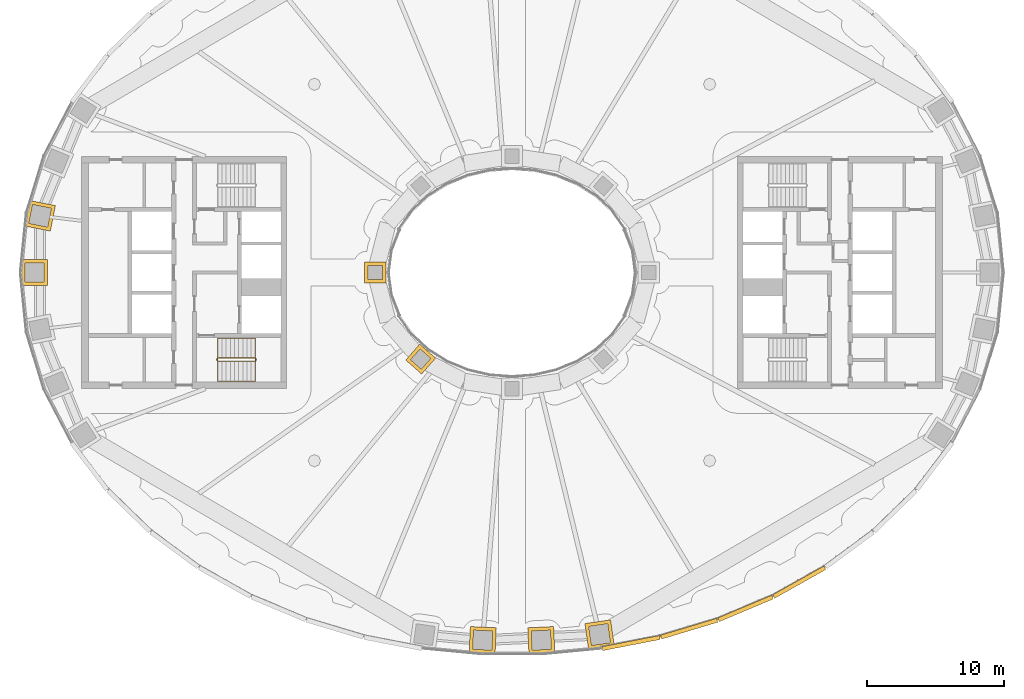
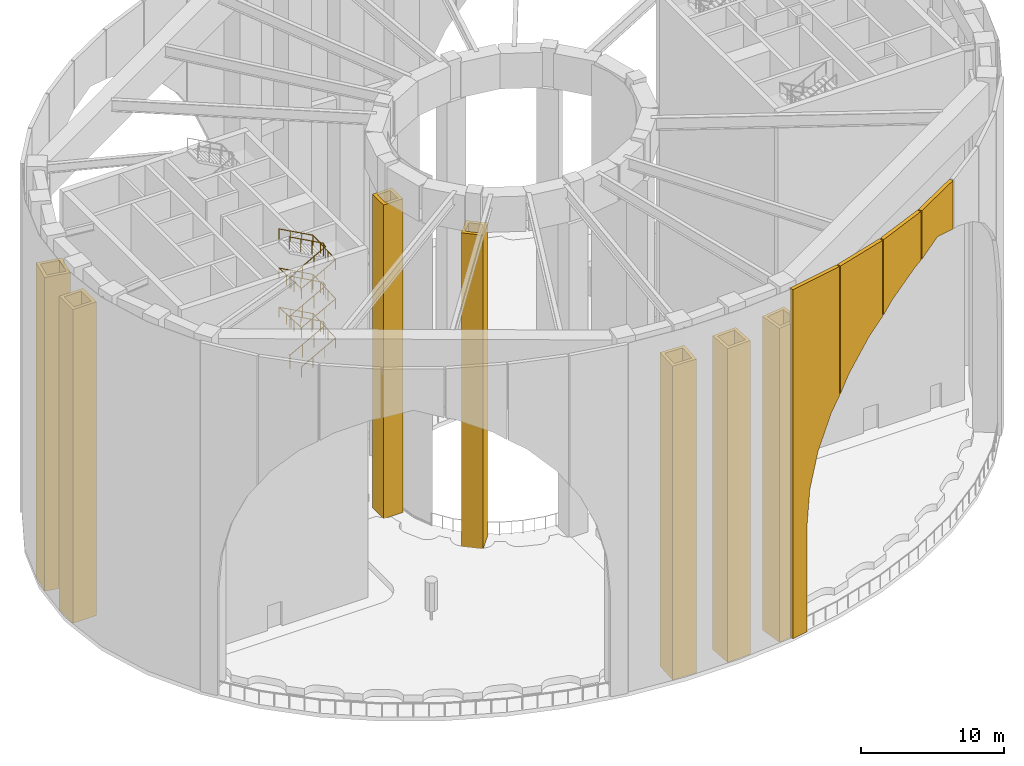
# One storey, part 16 of 26: 11 coverings, 2 railings.
"""IFC4 building model written with IfcOpenShell, lengths in metres."""

from ifc_helpers import new_model, si_unit, direction, frame, origin, origin_2d, place, context, subcontext, project, spatial, polyline, rectangle, outline, extrude, material, layer, layer_set, type_object, element, save


model = new_model("IFC4")

# Units and contexts
model_context = context("Model", 3, precision=1e-05, world=origin(), true_north=direction((0.0, 1.0)))
body_context = subcontext(model_context, "Body", "Model", "MODEL_VIEW")
ifc_project = project(units=[si_unit("LENGTHUNIT", "METRE"), si_unit("AREAUNIT", "SQUARE_METRE"), si_unit("VOLUMEUNIT", "CUBIC_METRE"), si_unit("PLANEANGLEUNIT", "RADIAN"), si_unit("MASSUNIT", "GRAM", prefix="KILO")], contexts=[model_context])

# Site, building, storey
site_placement = place(None, origin())
site = spatial("IfcSite", under=ifc_project, at=site_placement, CompositionType="ELEMENT")
building_placement = place(site_placement, origin())
building = spatial("IfcBuilding", under=site, at=building_placement, Name="Noorbagh Ring Tower", CompositionType="ELEMENT")
storey_placement = place(building_placement, frame((0.0, 0.0, 203.5)))
storey = spatial("IfcBuildingStorey", under=building, at=storey_placement, Name="L47", CompositionType="ELEMENT", Elevation=203.5)

# Railings
ifc_material_1 = material(Name="Stainless steel", Category="steel")
railing_type_1 = type_object("IfcRailingType", Name="CORE-STAIR-GUARD", PredefinedType="GUARDRAIL", material=ifc_material_1)
railing_1_placement = place(storey_placement, frame((-21.580078125, -6.449951171875, 20.0)))
element("IfcRailing", 1, at=railing_1_placement, inside=storey, type_object=railing_type_1, Name="L47c ST2 stair guard", PredefinedType="GUARDRAIL", context=body_context, shape_type="SweptSolid", body=[
    extrude(rectangle(XDim=0.048095703125, YDim=0.048095703125, at=origin_2d()), frame((0.0, 0.0, 1.076171875), z_axis=(0.0, 1.0, 0.0), x_axis=(-1.0, 0.0, 0.0)), (0.0, 0.0, 1.0), 0.14990234375),
    extrude(rectangle(XDim=0.048095703125, YDim=0.048095703125, at=origin_2d()), frame((0.0, 0.14990234375, 1.076171875), z_axis=(0.188775798145, -0.754182335027, 0.628945707965), x_axis=(0.970072785993, 0.242814311512, 0.0)), (0.0, 0.0, 1.0), 0.26513671875),
    extrude(rectangle(XDim=0.048095703125, YDim=0.048095703125, at=origin_2d()), frame((0.050048828125, -0.050048828125, 1.24267578125), z_axis=(0.877537414544, 0.0, 0.479508171021), x_axis=(0.0, 1.0, 0.0)), (0.0, 0.0, 1.0), 3.128173828125),
    extrude(rectangle(XDim=0.048095703125, YDim=0.048095703125, at=origin_2d()), frame((2.795166015625, -0.050048828125, 2.74267578125), z_axis=(0.705375805398, 0.708833529934, 0.0), x_axis=(-0.708833529934, 0.705375805398, 0.0)), (0.0, 0.0, 1.0), 0.070556640625),
    extrude(rectangle(XDim=0.048095703125, YDim=0.048095703125, at=origin_2d()), frame((2.844970703125, 0.0, 2.74267578125), z_axis=(0.0, 1.0, 0.0), x_axis=(-1.0, 0.0, 0.0)), (0.0, 0.0, 1.0), 0.14990234375),
    extrude(rectangle(XDim=0.048095703125, YDim=0.048095703125, at=origin_2d()), frame((2.844970703125, 0.14990234375, 2.74267578125), z_axis=(-0.275382897532, 0.276732813696, 0.920642824102), x_axis=(-0.708833529934, -0.705375805398, 0.0)), (0.0, 0.0, 1.0), 0.180908203125),
    extrude(rectangle(XDim=0.048095703125, YDim=0.048095703125, at=origin_2d()), frame((2.795166015625, 0.199951171875, 2.9091796875), z_axis=(-0.877537414544, 0.0, 0.479508171021), x_axis=(0.0, -1.0, 0.0)), (0.0, 0.0, 1.0), 3.128173828125),
    extrude(rectangle(XDim=0.048095703125, YDim=0.048095703125, at=origin_2d()), frame((0.050048828125, 0.199951171875, 4.4091796875), z_axis=(-0.242814311512, -0.970072785993, 0.0), x_axis=(0.970072785993, -0.242814311512, 0.0)), (0.0, 0.0, 1.0), 0.2060546875),
    extrude(rectangle(XDim=0.048095703125, YDim=0.048095703125, at=origin_2d()), frame((0.0, 0.0, 4.4091796875), z_axis=(0.0, 1.0, 0.0), x_axis=(-1.0, 0.0, 0.0)), (0.0, 0.0, 1.0), 0.14990234375),
    extrude(rectangle(XDim=0.048095703125, YDim=0.048095703125, at=origin_2d()), frame((0.0, 0.14990234375, 4.4091796875), z_axis=(0.188775798145, -0.754182335027, 0.628945707965), x_axis=(0.970072785993, 0.242814311512, 0.0)), (0.0, 0.0, 1.0), 0.26513671875),
    extrude(rectangle(XDim=0.048095703125, YDim=0.048095703125, at=origin_2d()), frame((0.050048828125, -0.050048828125, 4.576171875), z_axis=(0.877537414544, 0.0, 0.479508171021), x_axis=(0.0, 1.0, 0.0)), (0.0, 0.0, 1.0), 3.128173828125),
    extrude(rectangle(XDim=0.048095703125, YDim=0.048095703125, at=origin_2d()), frame((2.795166015625, -0.050048828125, 6.076171875), z_axis=(0.705375805398, 0.708833529934, 0.0), x_axis=(-0.708833529934, 0.705375805398, 0.0)), (0.0, 0.0, 1.0), 0.070556640625),
    extrude(rectangle(XDim=0.048095703125, YDim=0.048095703125, at=origin_2d()), frame((2.844970703125, 0.0, 6.076171875), z_axis=(0.0, 1.0, 0.0), x_axis=(-1.0, 0.0, 0.0)), (0.0, 0.0, 1.0), 0.14990234375),
    extrude(rectangle(XDim=0.048095703125, YDim=0.048095703125, at=origin_2d()), frame((2.844970703125, 0.14990234375, 6.076171875), z_axis=(-0.275041040955, 0.276389281352, 0.920848191041), x_axis=(-0.708833529934, -0.705375805398, 0.0)), (0.0, 0.0, 1.0), 0.18115234375),
    extrude(rectangle(XDim=0.048095703125, YDim=0.048095703125, at=origin_2d()), frame((2.795166015625, 0.199951171875, 6.24267578125), z_axis=(-0.877537414544, 0.0, 0.479508171021), x_axis=(0.0, -1.0, 0.0)), (0.0, 0.0, 1.0), 3.128173828125),
    extrude(rectangle(XDim=0.048095703125, YDim=0.048095703125, at=origin_2d()), frame((0.050048828125, 0.199951171875, 7.74267578125), z_axis=(-0.242814311512, -0.970072785993, 0.0), x_axis=(0.970072785993, -0.242814311512, 0.0)), (0.0, 0.0, 1.0), 0.2060546875),
    extrude(rectangle(XDim=0.048095703125, YDim=0.048095703125, at=origin_2d()), frame((0.0, 0.0, 7.74267578125), z_axis=(0.0, 1.0, 0.0), x_axis=(-1.0, 0.0, 0.0)), (0.0, 0.0, 1.0), 0.14990234375),
    extrude(rectangle(XDim=0.048095703125, YDim=0.048095703125, at=origin_2d()), frame((0.0, 0.14990234375, 7.74267578125), z_axis=(0.188885146209, -0.754619193878, 0.628388632753), x_axis=(0.970072785993, 0.242814311512, 0.0)), (0.0, 0.0, 1.0), 0.264892578125),
    extrude(rectangle(XDim=0.048095703125, YDim=0.048095703125, at=origin_2d()), frame((0.050048828125, -0.050048828125, 7.9091796875), z_axis=(0.877537414544, 0.0, 0.479508171021), x_axis=(0.0, 1.0, 0.0)), (0.0, 0.0, 1.0), 3.128173828125),
    extrude(rectangle(XDim=0.048095703125, YDim=0.048095703125, at=origin_2d()), frame((2.795166015625, -0.050048828125, 9.4091796875), z_axis=(0.705375805398, 0.708833529934, 0.0), x_axis=(-0.708833529934, 0.705375805398, 0.0)), (0.0, 0.0, 1.0), 0.070556640625),
    extrude(rectangle(XDim=0.048095703125, YDim=0.048095703125, at=origin_2d()), frame((2.844970703125, 0.0, 9.4091796875), z_axis=(0.0, 1.0, 0.0), x_axis=(-1.0, 0.0, 0.0)), (0.0, 0.0, 1.0), 0.14990234375),
    extrude(rectangle(XDim=0.048095703125, YDim=0.048095703125, at=origin_2d()), frame((2.844970703125, 0.14990234375, 9.4091796875), z_axis=(-0.275041040955, 0.276389281352, 0.920848191041), x_axis=(-0.708833529934, -0.705375805398, 0.0)), (0.0, 0.0, 1.0), 0.18115234375),
    extrude(rectangle(XDim=0.048095703125, YDim=0.048095703125, at=origin_2d()), frame((2.795166015625, 0.199951171875, 9.576171875), z_axis=(-0.877537414544, 0.0, 0.479508171021), x_axis=(0.0, -1.0, 0.0)), (0.0, 0.0, 1.0), 3.128173828125),
    extrude(rectangle(XDim=0.0419921875, YDim=0.0419921875, at=origin_2d()), origin(), (0.0, 0.0, 1.0), 1.052001953125),
    extrude(rectangle(XDim=0.0419921875, YDim=0.0419921875, at=origin_2d()), frame((0.965087890625, -0.050048828125, 0.666748046875)), (0.0, 0.0, 1.0), 1.052001953125),
    extrude(rectangle(XDim=0.0419921875, YDim=0.0419921875, at=origin_2d()), frame((1.880126953125, -0.050048828125, 1.166748046875)), (0.0, 0.0, 1.0), 1.052001953125),
    extrude(rectangle(XDim=0.0419921875, YDim=0.0419921875, at=origin_2d()), frame((2.795166015625, -0.050048828125, 1.666748046875)), (0.0, 0.0, 1.0), 1.052001953125),
    extrude(rectangle(XDim=0.0419921875, YDim=0.0419921875, at=origin_2d()), frame((2.795166015625, 0.199951171875, 1.833251953125)), (0.0, 0.0, 1.0), 1.052001953125),
    extrude(rectangle(XDim=0.0419921875, YDim=0.0419921875, at=origin_2d()), frame((1.880126953125, 0.199951171875, 2.333251953125)), (0.0, 0.0, 1.0), 1.052001953125),
    extrude(rectangle(XDim=0.0419921875, YDim=0.0419921875, at=origin_2d()), frame((0.965087890625, 0.199951171875, 2.833251953125)), (0.0, 0.0, 1.0), 1.052001953125),
    extrude(rectangle(XDim=0.0419921875, YDim=0.0419921875, at=origin_2d()), frame((0.050048828125, 0.199951171875, 3.333251953125)), (0.0, 0.0, 1.0), 1.052001953125),
    extrude(rectangle(XDim=0.0419921875, YDim=0.0419921875, at=origin_2d()), frame((0.050048828125, -0.050048828125, 3.5)), (0.0, 0.0, 1.0), 1.052001953125),
    extrude(rectangle(XDim=0.0419921875, YDim=0.0419921875, at=origin_2d()), frame((0.965087890625, -0.050048828125, 4.0)), (0.0, 0.0, 1.0), 1.052001953125),
    extrude(rectangle(XDim=0.0419921875, YDim=0.0419921875, at=origin_2d()), frame((1.880126953125, -0.050048828125, 4.5)), (0.0, 0.0, 1.0), 1.052001953125),
    extrude(rectangle(XDim=0.0419921875, YDim=0.0419921875, at=origin_2d()), frame((2.795166015625, -0.050048828125, 5.0)), (0.0, 0.0, 1.0), 1.052001953125),
    extrude(rectangle(XDim=0.0419921875, YDim=0.0419921875, at=origin_2d()), frame((2.795166015625, 0.199951171875, 5.166748046875)), (0.0, 0.0, 1.0), 1.052001953125),
    extrude(rectangle(XDim=0.0419921875, YDim=0.0419921875, at=origin_2d()), frame((1.880126953125, 0.199951171875, 5.666748046875)), (0.0, 0.0, 1.0), 1.052001953125),
    extrude(rectangle(XDim=0.0419921875, YDim=0.0419921875, at=origin_2d()), frame((0.965087890625, 0.199951171875, 6.166748046875)), (0.0, 0.0, 1.0), 1.052001953125),
    extrude(rectangle(XDim=0.0419921875, YDim=0.0419921875, at=origin_2d()), frame((0.050048828125, 0.199951171875, 6.666748046875)), (0.0, 0.0, 1.0), 1.052001953125),
    extrude(rectangle(XDim=0.0419921875, YDim=0.0419921875, at=origin_2d()), frame((0.050048828125, -0.050048828125, 6.833251953125)), (0.0, 0.0, 1.0), 1.052001953125),
    extrude(rectangle(XDim=0.0419921875, YDim=0.0419921875, at=origin_2d()), frame((0.965087890625, -0.050048828125, 7.333251953125)), (0.0, 0.0, 1.0), 1.052001953125),
    extrude(rectangle(XDim=0.0419921875, YDim=0.0419921875, at=origin_2d()), frame((1.880126953125, -0.050048828125, 7.833251953125)), (0.0, 0.0, 1.0), 1.052001953125),
    extrude(rectangle(XDim=0.0419921875, YDim=0.0419921875, at=origin_2d()), frame((2.795166015625, -0.050048828125, 8.333251953125)), (0.0, 0.0, 1.0), 1.052001953125),
    extrude(rectangle(XDim=0.0419921875, YDim=0.0419921875, at=origin_2d()), frame((2.795166015625, 0.199951171875, 8.5)), (0.0, 0.0, 1.0), 1.052001953125),
    extrude(rectangle(XDim=0.0419921875, YDim=0.0419921875, at=origin_2d()), frame((1.880126953125, 0.199951171875, 9.0)), (0.0, 0.0, 1.0), 1.052001953125),
    extrude(rectangle(XDim=0.0419921875, YDim=0.0419921875, at=origin_2d()), frame((0.965087890625, 0.199951171875, 9.5)), (0.0, 0.0, 1.0), 1.052001953125),
    extrude(rectangle(XDim=0.0419921875, YDim=0.0419921875, at=origin_2d()), frame((0.050048828125, 0.199951171875, 10.0)), (0.0, 0.0, 1.0), 1.052001953125),
])
ifc_material_2 = material(Name="Stainless steel", Category="steel")
railing_type_2 = type_object("IfcRailingType", Name="CORE-STAIR-HANDRAIL", PredefinedType="HANDRAIL", material=ifc_material_2)
railing_2_placement = place(storey_placement, frame((-21.530029296875, -7.949951171875, 20.166748046875)))
element("IfcRailing", 2, at=railing_2_placement, inside=storey, type_object=railing_type_2, Name="L47c ST2 stair handrail", PredefinedType="HANDRAIL", context=body_context, shape_type="SweptSolid", body=[
    extrude(rectangle(XDim=0.048095703125, YDim=0.048095703125, at=origin_2d()), frame((0.0, 0.0, 0.8759765625), z_axis=(0.877537414544, 0.0, 0.479508171021), x_axis=(0.0, 1.0, 0.0)), (0.0, 0.0, 1.0), 3.128173828125),
    extrude(rectangle(XDim=0.048095703125, YDim=0.048095703125, at=origin_2d()), frame((2.7451171875, 0.0, 2.3759765625), z_axis=(0.0, 0.998605830047, 0.052786325848), x_axis=(-1.0, 0.0, 0.0)), (0.0, 0.0, 1.0), 3.154296875),
    extrude(rectangle(XDim=0.048095703125, YDim=0.048095703125, at=origin_2d()), frame((2.7451171875, 3.14990234375, 2.54248046875), z_axis=(-0.877537414544, 0.0, 0.479508171021), x_axis=(0.0, -1.0, 0.0)), (0.0, 0.0, 1.0), 3.128173828125),
    extrude(rectangle(XDim=0.048095703125, YDim=0.048095703125, at=origin_2d()), frame((0.0, 3.14990234375, 4.04248046875), z_axis=(0.0, -0.998601747152, 0.052863509014), x_axis=(1.0, 0.0, 0.0)), (0.0, 0.0, 1.0), 3.154296875),
    extrude(rectangle(XDim=0.048095703125, YDim=0.048095703125, at=origin_2d()), frame((0.0, 0.0, 4.208984375), z_axis=(0.877537414544, 0.0, 0.479508171021), x_axis=(0.0, 1.0, 0.0)), (0.0, 0.0, 1.0), 3.128173828125),
    extrude(rectangle(XDim=0.048095703125, YDim=0.048095703125, at=origin_2d()), frame((2.7451171875, 0.0, 5.708984375), z_axis=(0.0, 0.998601747152, 0.052863509014), x_axis=(-1.0, 0.0, 0.0)), (0.0, 0.0, 1.0), 3.154296875),
    extrude(rectangle(XDim=0.048095703125, YDim=0.048095703125, at=origin_2d()), frame((2.7451171875, 3.14990234375, 5.8759765625), z_axis=(-0.877537414544, 0.0, 0.479508171021), x_axis=(0.0, -1.0, 0.0)), (0.0, 0.0, 1.0), 3.128173828125),
    extrude(rectangle(XDim=0.048095703125, YDim=0.048095703125, at=origin_2d()), frame((0.0, 3.14990234375, 7.3759765625), z_axis=(0.0, -0.998605830047, 0.052786325848), x_axis=(1.0, 0.0, 0.0)), (0.0, 0.0, 1.0), 3.154296875),
    extrude(rectangle(XDim=0.048095703125, YDim=0.048095703125, at=origin_2d()), frame((0.0, 0.0, 7.54248046875), z_axis=(0.877537414544, 0.0, 0.479508171021), x_axis=(0.0, 1.0, 0.0)), (0.0, 0.0, 1.0), 3.128173828125),
    extrude(rectangle(XDim=0.048095703125, YDim=0.048095703125, at=origin_2d()), frame((2.7451171875, 0.0, 9.04248046875), z_axis=(0.0, 0.998601747152, 0.052863509014), x_axis=(-1.0, 0.0, 0.0)), (0.0, 0.0, 1.0), 3.154296875),
    extrude(rectangle(XDim=0.048095703125, YDim=0.048095703125, at=origin_2d()), frame((2.7451171875, 3.14990234375, 9.208984375), z_axis=(-0.877537414544, 0.0, 0.479508171021), x_axis=(0.0, -1.0, 0.0)), (0.0, 0.0, 1.0), 3.128173828125),
    extrude(rectangle(XDim=0.0419921875, YDim=0.0419921875, at=origin_2d()), origin(), (0.0, 0.0, 1.0), 0.851806640625),
    extrude(rectangle(XDim=0.0419921875, YDim=0.0419921875, at=origin_2d()), frame((0.9150390625, 0.0, 0.5)), (0.0, 0.0, 1.0), 0.851806640625),
    extrude(rectangle(XDim=0.0419921875, YDim=0.0419921875, at=origin_2d()), frame((1.830078125, 0.0, 1.0)), (0.0, 0.0, 1.0), 0.851806640625),
    extrude(rectangle(XDim=0.0419921875, YDim=0.0419921875, at=origin_2d()), frame((2.7451171875, 0.0, 1.5)), (0.0, 0.0, 1.0), 0.851806640625),
    extrude(rectangle(XDim=0.0419921875, YDim=0.0419921875, at=origin_2d()), frame((2.7451171875, 1.050048828125, 1.555419921875)), (0.0, 0.0, 1.0), 0.851806640625),
    extrude(rectangle(XDim=0.0419921875, YDim=0.0419921875, at=origin_2d()), frame((2.7451171875, 2.099853515625, 1.611083984375)), (0.0, 0.0, 1.0), 0.851806640625),
    extrude(rectangle(XDim=0.0419921875, YDim=0.0419921875, at=origin_2d()), frame((2.7451171875, 3.14990234375, 1.66650390625)), (0.0, 0.0, 1.0), 0.851806640625),
    extrude(rectangle(XDim=0.0419921875, YDim=0.0419921875, at=origin_2d()), frame((1.830078125, 3.14990234375, 2.16650390625)), (0.0, 0.0, 1.0), 0.851806640625),
    extrude(rectangle(XDim=0.0419921875, YDim=0.0419921875, at=origin_2d()), frame((0.9150390625, 3.14990234375, 2.66650390625)), (0.0, 0.0, 1.0), 0.851806640625),
    extrude(rectangle(XDim=0.0419921875, YDim=0.0419921875, at=origin_2d()), frame((0.0, 3.14990234375, 3.16650390625)), (0.0, 0.0, 1.0), 0.851806640625),
    extrude(rectangle(XDim=0.0419921875, YDim=0.0419921875, at=origin_2d()), frame((0.0, 2.099853515625, 3.22216796875)), (0.0, 0.0, 1.0), 0.851806640625),
    extrude(rectangle(XDim=0.0419921875, YDim=0.0419921875, at=origin_2d()), frame((0.0, 1.050048828125, 3.277587890625)), (0.0, 0.0, 1.0), 0.851806640625),
    extrude(rectangle(XDim=0.0419921875, YDim=0.0419921875, at=origin_2d()), frame((0.0, 0.0, 3.333251953125)), (0.0, 0.0, 1.0), 0.851806640625),
    extrude(rectangle(XDim=0.0419921875, YDim=0.0419921875, at=origin_2d()), frame((0.9150390625, 0.0, 3.833251953125)), (0.0, 0.0, 1.0), 0.851806640625),
    extrude(rectangle(XDim=0.0419921875, YDim=0.0419921875, at=origin_2d()), frame((1.830078125, 0.0, 4.333251953125)), (0.0, 0.0, 1.0), 0.851806640625),
    extrude(rectangle(XDim=0.0419921875, YDim=0.0419921875, at=origin_2d()), frame((2.7451171875, 0.0, 4.833251953125)), (0.0, 0.0, 1.0), 0.851806640625),
    extrude(rectangle(XDim=0.0419921875, YDim=0.0419921875, at=origin_2d()), frame((2.7451171875, 1.050048828125, 4.888916015625)), (0.0, 0.0, 1.0), 0.851806640625),
    extrude(rectangle(XDim=0.0419921875, YDim=0.0419921875, at=origin_2d()), frame((2.7451171875, 2.099853515625, 4.9443359375)), (0.0, 0.0, 1.0), 0.851806640625),
    extrude(rectangle(XDim=0.0419921875, YDim=0.0419921875, at=origin_2d()), frame((2.7451171875, 3.14990234375, 5.0)), (0.0, 0.0, 1.0), 0.851806640625),
    extrude(rectangle(XDim=0.0419921875, YDim=0.0419921875, at=origin_2d()), frame((1.830078125, 3.14990234375, 5.5)), (0.0, 0.0, 1.0), 0.851806640625),
    extrude(rectangle(XDim=0.0419921875, YDim=0.0419921875, at=origin_2d()), frame((0.9150390625, 3.14990234375, 6.0)), (0.0, 0.0, 1.0), 0.851806640625),
    extrude(rectangle(XDim=0.0419921875, YDim=0.0419921875, at=origin_2d()), frame((0.0, 3.14990234375, 6.5)), (0.0, 0.0, 1.0), 0.851806640625),
    extrude(rectangle(XDim=0.0419921875, YDim=0.0419921875, at=origin_2d()), frame((0.0, 2.099853515625, 6.555419921875)), (0.0, 0.0, 1.0), 0.851806640625),
    extrude(rectangle(XDim=0.0419921875, YDim=0.0419921875, at=origin_2d()), frame((0.0, 1.050048828125, 6.611083984375)), (0.0, 0.0, 1.0), 0.851806640625),
    extrude(rectangle(XDim=0.0419921875, YDim=0.0419921875, at=origin_2d()), frame((0.0, 0.0, 6.66650390625)), (0.0, 0.0, 1.0), 0.851806640625),
    extrude(rectangle(XDim=0.0419921875, YDim=0.0419921875, at=origin_2d()), frame((0.9150390625, 0.0, 7.16650390625)), (0.0, 0.0, 1.0), 0.851806640625),
    extrude(rectangle(XDim=0.0419921875, YDim=0.0419921875, at=origin_2d()), frame((1.830078125, 0.0, 7.66650390625)), (0.0, 0.0, 1.0), 0.851806640625),
    extrude(rectangle(XDim=0.0419921875, YDim=0.0419921875, at=origin_2d()), frame((2.7451171875, 0.0, 8.16650390625)), (0.0, 0.0, 1.0), 0.851806640625),
    extrude(rectangle(XDim=0.0419921875, YDim=0.0419921875, at=origin_2d()), frame((2.7451171875, 1.050048828125, 8.22216796875)), (0.0, 0.0, 1.0), 0.851806640625),
    extrude(rectangle(XDim=0.0419921875, YDim=0.0419921875, at=origin_2d()), frame((2.7451171875, 2.099853515625, 8.277587890625)), (0.0, 0.0, 1.0), 0.851806640625),
    extrude(rectangle(XDim=0.0419921875, YDim=0.0419921875, at=origin_2d()), frame((2.7451171875, 3.14990234375, 8.333251953125)), (0.0, 0.0, 1.0), 0.851806640625),
    extrude(rectangle(XDim=0.0419921875, YDim=0.0419921875, at=origin_2d()), frame((1.830078125, 3.14990234375, 8.833251953125)), (0.0, 0.0, 1.0), 0.851806640625),
    extrude(rectangle(XDim=0.0419921875, YDim=0.0419921875, at=origin_2d()), frame((0.9150390625, 3.14990234375, 9.333251953125)), (0.0, 0.0, 1.0), 0.851806640625),
    extrude(rectangle(XDim=0.0419921875, YDim=0.0419921875, at=origin_2d()), frame((0.0, 3.14990234375, 9.833251953125)), (0.0, 0.0, 1.0), 0.851806640625),
])

# Coverings
ifc_material_3 = material(Name="Sandstone cladding", Category="masonry")
ifc_layer_1 = layer(ifc_material_3, 0.300048828125)
ifc_layer_set_1 = layer_set([ifc_layer_1], Name="Sandstone cladding")
covering_type_1 = type_object("IfcCoveringType", Name="STYLE-IWAN", PredefinedType="CLADDING", material=ifc_layer_set_1)
covering_1_placement = place(storey_placement, frame((8.683837890625, -26.965576171875, 0.0), z_axis=(0.190820470077, -0.981624952922, 0.0), x_axis=(0.981624952922, 0.190820470077, 0.0)))
element("IfcCovering", 3, at=covering_1_placement, inside=storey, type_object=covering_type_1, Name="Gateway frame F37", ObjectType="ARCH", PredefinedType="CLADDING", context=body_context, shape_type="SweptSolid", body=[
    extrude(outline(polyline([(-2.14306640625, 0.0), (-0.84228515625, 0.0), (-0.84228515625, 9.0), (-0.586669921875, 11.985595703125), (0.172607421875, 14.884521484375), (1.41357421875, 17.61181640625), (2.14306640625, 18.68310546875), (2.14306640625, 29.699951171875), (-2.14306640625, 29.699951171875), (-2.14306640625, 0.0)])), origin(), (0.0, 0.0, 1.0), 0.300048828125),
])
covering_2_placement = place(storey_placement, frame((12.922119140625, -25.918701171875, 0.0), z_axis=(0.28817445525, -0.957577925467, 0.0), x_axis=(0.957577925467, 0.28817445525, 0.0)))
element("IfcCovering", 4, at=covering_2_placement, inside=storey, type_object=covering_type_1, Name="Gateway frame F38", ObjectType="ARCH", PredefinedType="CLADDING", context=body_context, shape_type="SweptSolid", body=[
    extrude(outline(polyline([(-2.14306640625, 29.699951171875), (-2.14306640625, 18.830078125), (-1.285888671875, 20.088623046875), (0.797119140625, 22.242919921875), (2.14306640625, 23.227294921875), (2.14306640625, 29.699951171875), (-2.14306640625, 29.699951171875)])), origin(), (0.0, 0.0, 1.0), 0.300048828125),
])
covering_3_placement = place(storey_placement, frame((17.028564453125, -24.44189453125, 0.0), z_axis=(0.387638279686, -0.921811566494, 0.0), x_axis=(0.921811566494, 0.387638279686, 0.0)))
element("IfcCovering", 5, at=covering_3_placement, inside=storey, type_object=covering_type_1, Name="Gateway frame F39", ObjectType="ARCH", PredefinedType="CLADDING", context=body_context, shape_type="SweptSolid", body=[
    extrude(outline(polyline([(-2.142822265625, 29.699951171875), (-2.142822265625, 23.30029296875), (-1.170166015625, 24.01171875), (1.513916015625, 25.34375), (2.142822265625, 25.53125), (2.142822265625, 29.699951171875), (-2.142822265625, 29.699951171875)])), origin(), (0.0, 0.0, 1.0), 0.300048828125),
])
covering_4_placement = place(storey_placement, frame((20.947021484375, -22.526123046875, 0.0), z_axis=(0.48942643941, -0.872044586249, 0.0), x_axis=(0.872044586249, 0.48942643941, 0.0)))
element("IfcCovering", 6, at=covering_4_placement, inside=storey, type_object=covering_type_1, Name="Gateway frame F40", ObjectType="ARCH", PredefinedType="CLADDING", context=body_context, shape_type="SweptSolid", body=[
    extrude(outline(polyline([(-2.142578125, 29.699951171875), (-2.142578125, 25.56103515625), (0.0, 26.199951171875), (2.142578125, 25.56103515625), (2.142578125, 29.699951171875), (-2.142578125, 29.699951171875)])), origin(), (0.0, 0.0, 1.0), 0.300048828125),
])
ifc_material_4 = material(Name="Sandstone cladding", Category="masonry")
ifc_layer_2 = layer(ifc_material_4, 0.25)
ifc_layer_set_2 = layer_set([ifc_layer_2], Name="Sandstone cladding")
covering_type_2 = type_object("IfcCoveringType", Name="STYLE-IWAN-PIER", PredefinedType="CLADDING", material=ifc_layer_set_2)
covering_5_placement = place(storey_placement, origin())
element("IfcCovering", 7, at=covering_5_placement, inside=storey, type_object=covering_type_2, Name="Pier casing R1-23", ObjectType="PIER", PredefinedType="CLADDING", context=body_context, shape_type="SweptSolid", body=[
    extrude(outline(polyline([(-35.270751953125, 5.269287109375), (-33.408203125, 4.89453125), (-33.78271484375, 3.031982421875), (-35.6455078125, 3.40673828125), (-35.270751953125, 5.269287109375)]), holes=[polyline([(-35.074951171875, 4.97509765625), (-35.35107421875, 3.6025390625), (-33.978515625, 3.326416015625), (-33.702392578125, 4.698974609375), (-35.074951171875, 4.97509765625)])]), origin(), (0.0, 0.0, 1.0), 26.699951171875),
])
covering_6_placement = place(storey_placement, origin())
element("IfcCovering", 8, at=covering_6_placement, inside=storey, type_object=covering_type_2, Name="Pier casing R1-24", ObjectType="PIER", PredefinedType="CLADDING", context=body_context, shape_type="SweptSolid", body=[
    extrude(outline(polyline([(-35.894775390625, 0.949951171875), (-33.99462890625, 0.949951171875), (-33.99462890625, -0.949951171875), (-35.894775390625, -0.949951171875), (-35.894775390625, 0.949951171875)]), holes=[polyline([(-35.644775390625, 0.699951171875), (-35.644775390625, -0.699951171875), (-34.24462890625, -0.699951171875), (-34.24462890625, 0.699951171875), (-35.644775390625, 0.699951171875)])]), origin(), (0.0, 0.0, 1.0), 26.699951171875),
])
covering_7_placement = place(storey_placement, origin())
element("IfcCovering", 9, at=covering_7_placement, inside=storey, type_object=covering_type_2, Name="Pier casing R1-35", ObjectType="PIER", PredefinedType="CLADDING", context=body_context, shape_type="SweptSolid", body=[
    extrude(outline(polyline([(-3.13720703125, -27.8017578125), (-3.046875, -25.90380859375), (-1.149169921875, -25.994140625), (-1.239501953125, -27.89208984375), (-3.13720703125, -27.8017578125)]), holes=[polyline([(-2.875732421875, -27.56396484375), (-1.477294921875, -27.630615234375), (-1.41064453125, -26.232177734375), (-2.80908203125, -26.16552734375), (-2.875732421875, -27.56396484375)])]), origin(), (0.0, 0.0, 1.0), 26.699951171875),
])
covering_8_placement = place(storey_placement, origin())
element("IfcCovering", 10, at=covering_8_placement, inside=storey, type_object=covering_type_2, Name="Pier casing R1-36", ObjectType="PIER", PredefinedType="CLADDING", context=body_context, shape_type="SweptSolid", body=[
    extrude(outline(polyline([(1.239501953125, -27.89208984375), (1.149169921875, -25.994140625), (3.046875, -25.90380859375), (3.13720703125, -27.8017578125), (1.239501953125, -27.89208984375)]), holes=[polyline([(1.477294921875, -27.630615234375), (2.875732421875, -27.56396484375), (2.80908203125, -26.16552734375), (1.41064453125, -26.232177734375), (1.477294921875, -27.630615234375)])]), origin(), (0.0, 0.0, 1.0), 26.699951171875),
])
covering_9_placement = place(storey_placement, origin())
element("IfcCovering", 11, at=covering_9_placement, inside=storey, type_object=covering_type_2, Name="Pier casing R1-37", ObjectType="PIER", PredefinedType="CLADDING", context=body_context, shape_type="SweptSolid", body=[
    extrude(outline(polyline([(5.60498046875, -27.56689453125), (5.3330078125, -25.6865234375), (7.213623046875, -25.414794921875), (7.4853515625, -27.295166015625), (5.60498046875, -27.56689453125)]), holes=[polyline([(5.816650390625, -27.28369140625), (7.2021484375, -27.08349609375), (7.001953125, -25.697998046875), (5.6162109375, -25.898193359375), (5.816650390625, -27.28369140625)])]), origin(), (0.0, 0.0, 1.0), 26.699951171875),
])
covering_10_placement = place(storey_placement, origin())
element("IfcCovering", 12, at=covering_10_placement, inside=storey, type_object=covering_type_2, Name="Pier casing IR2-W17", ObjectType="PIER", PredefinedType="CLADDING", context=body_context, shape_type="SweptSolid", body=[
    extrude(outline(polyline([(-10.783447265625, 0.77490234375), (-9.2333984375, 0.77490234375), (-9.2333984375, -0.77490234375), (-10.783447265625, -0.77490234375), (-10.783447265625, 0.77490234375)]), holes=[polyline([(-10.533447265625, 0.52490234375), (-10.533447265625, -0.52490234375), (-9.4833984375, -0.52490234375), (-9.4833984375, 0.52490234375), (-10.533447265625, 0.52490234375)])]), origin(), (0.0, 0.0, 1.0), 26.699951171875),
])
covering_11_placement = place(storey_placement, origin())
element("IfcCovering", 13, at=covering_11_placement, inside=storey, type_object=covering_type_2, Name="Pier casing IR2-W21", ObjectType="PIER", PredefinedType="CLADDING", context=body_context, shape_type="SweptSolid", body=[
    extrude(outline(polyline([(-7.77587890625, -6.404052734375), (-6.75244140625, -5.239990234375), (-5.58837890625, -6.263427734375), (-6.61181640625, -7.427490234375), (-7.77587890625, -6.404052734375)]), holes=[polyline([(-7.423095703125, -6.38134765625), (-6.634521484375, -7.07470703125), (-5.94140625, -6.2861328125), (-6.729736328125, -5.593017578125), (-7.423095703125, -6.38134765625)])]), origin(), (0.0, 0.0, 1.0), 26.699951171875),
])

save(model, "model.ifc")
